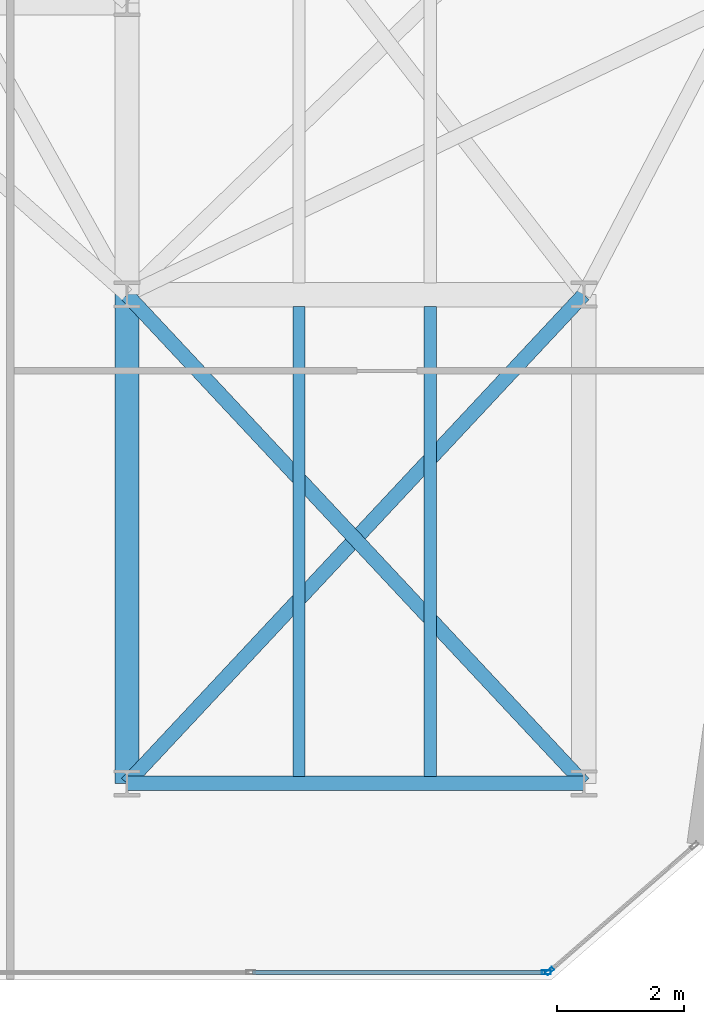
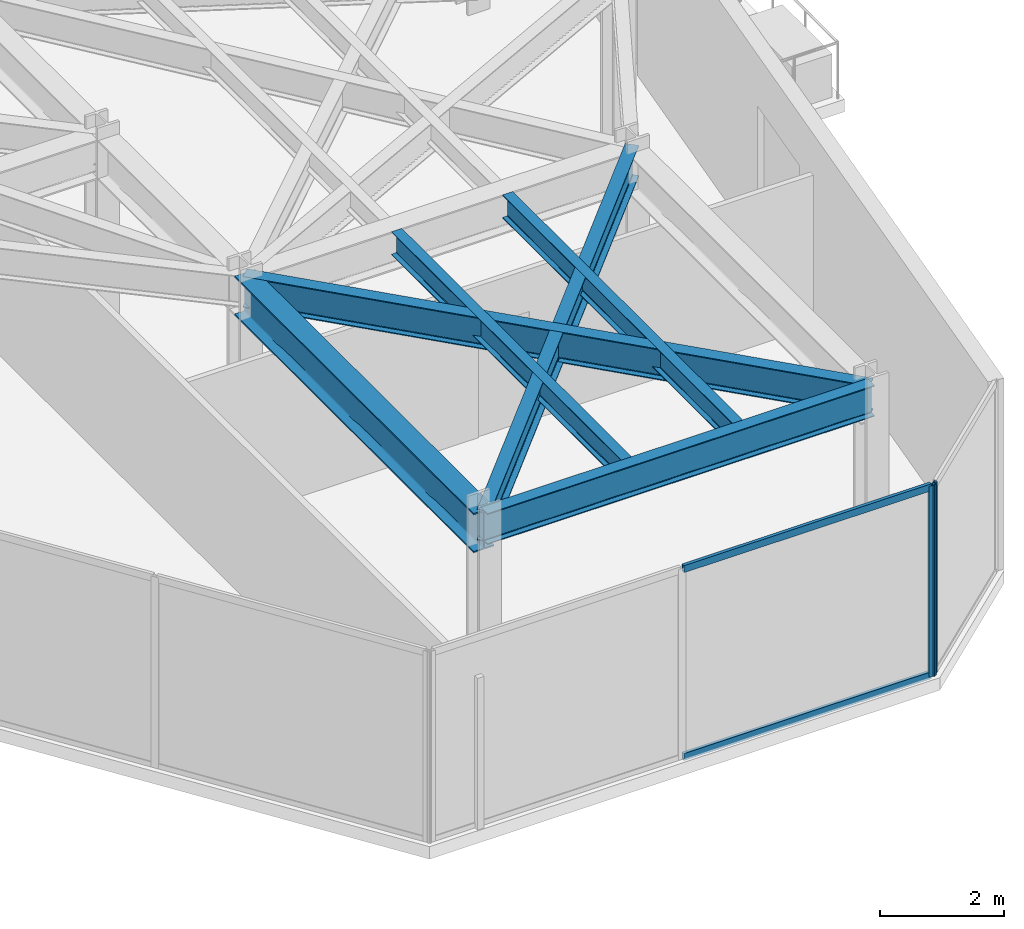
# One storey, part 11 of 21: 6 beams, 4 members, 2 elements without a shape of their own.
"""IFC4 building model written with IfcOpenShell, lengths in metres."""

import ifcopenshell
import ifcopenshell.guid

model = None  # the IFC model being written
_history = None  # IfcOwnerHistory: only IFC2X3 demands one
_inside = {}  # id of a spatial element -> (the spatial element, [elements in it])
_under = {}  # id of a project, library or spatial element -> (it, [spatial elements below it])
_declared = {}  # id of a project -> (the project, [libraries it declares])
_typed = {}  # id of a type object -> (the type object, [elements of that type])
_made_of = {}  # id of a material, layer set ... -> (it, [elements and type objects made of it])


def new_model(schema):
    """Start an empty IFC model of exactly this schema.

    Asked for "IFC4X3", IfcOpenShell would pick the latest addendum, in which some entities
    have other attributes; the version numbers below select the first issue.
    IFC2X3 requires an IfcOwnerHistory on every rooted entity: one is made here for all.
    """
    global model, _history
    if schema == "IFC4X3":
        model = ifcopenshell.file(schema_version=(4, 3, 0, 0))
    else:
        model = ifcopenshell.file(schema=schema)
    _inside.clear()
    _under.clear()
    _declared.clear()
    _typed.clear()
    _made_of.clear()
    _history = None
    if model.schema == "IFC2X3":
        org = make("IfcOrganization", Name="unknown")
        user = make(
            "IfcPersonAndOrganization",
            ThePerson=make("IfcPerson", FamilyName="unknown"),
            TheOrganization=org,
        )
        app = make(
            "IfcApplication",
            ApplicationDeveloper=org,
            Version="unknown",
            ApplicationFullName="unknown",
            ApplicationIdentifier="unknown",
        )
        _history = make(
            "IfcOwnerHistory",
            OwningUser=user,
            OwningApplication=app,
            ChangeAction="ADDED",
            CreationDate=0,
        )
    return model


def make(cls, **values):
    """One entity of the class cls with the attributes given. An attribute that is None is left unset."""
    return model.create_entity(
        cls, **{name: value for name, value in values.items() if value is not None}
    )


def rooted(cls, **values):
    """An entity with a GlobalId (a new one), such as an element, a storey or a relation."""
    return make(cls, GlobalId=ifcopenshell.guid.new(), OwnerHistory=_history, **values)


def si_unit(unit_type, name, prefix=None):
    """IfcSIUnit, for example si_unit("LENGTHUNIT", "METRE", prefix="MILLI")."""
    return make("IfcSIUnit", UnitType=unit_type, Prefix=prefix, Name=name)


def assignment(units):
    """IfcUnitAssignment: the units of a project."""
    return None if units is None else make("IfcUnitAssignment", Units=units)


def point(xyz):
    """IfcCartesianPoint."""
    return None if xyz is None else make("IfcCartesianPoint", Coordinates=xyz)


def direction(xyz):
    """IfcDirection."""
    return None if xyz is None else make("IfcDirection", DirectionRatios=xyz)


def frame(location, z_axis=None, x_axis=None):
    """IfcAxis2Placement3D, a coordinate frame: its origin and axes. An axis left out is left unset."""
    return make(
        "IfcAxis2Placement3D",
        Location=point(location),
        Axis=direction(z_axis),
        RefDirection=direction(x_axis),
    )


def frame_2d(location, x_axis=None):
    """IfcAxis2Placement2D, a coordinate frame in the plane: its origin and x axis."""
    return make(
        "IfcAxis2Placement2D", Location=point(location), RefDirection=direction(x_axis)
    )


def origin():
    """The frame at (0, 0, 0) with its axes left unset."""
    return frame((0.0, 0.0, 0.0))


def origin_2d():
    """The frame at (0, 0) in the plane with its x axis left unset."""
    return frame_2d((0.0, 0.0))


def place(relative_to, where):
    """IfcLocalPlacement: puts the frame where relative to a parent placement (None: the world)."""
    return make(
        "IfcLocalPlacement", PlacementRelTo=relative_to, RelativePlacement=where
    )


def context(
    kind, dimensions, precision=None, world=None, true_north=None, identifier=None
):
    """IfcGeometricRepresentationContext, for example the 3D "Model" context."""
    return make(
        "IfcGeometricRepresentationContext",
        ContextIdentifier=identifier,
        ContextType=kind,
        CoordinateSpaceDimension=dimensions,
        Precision=precision,
        WorldCoordinateSystem=world,
        TrueNorth=true_north,
    )


def subcontext(parent, identifier, kind, view, scale=None):
    """IfcGeometricRepresentationSubContext, for example "Body" below "Model"."""
    return make(
        "IfcGeometricRepresentationSubContext",
        ContextIdentifier=identifier,
        ContextType=kind,
        ParentContext=parent,
        TargetScale=scale,
        TargetView=view,
    )


def project(units=None, contexts=None):
    """IfcProject with its units and contexts."""
    return rooted(
        "IfcProject",
        Name="project",
        RepresentationContexts=contexts,
        UnitsInContext=assignment(units),
    )


def spatial(cls, under=None, at=None, **own):
    """A site, building, storey or space (cls), placed at a placement, below another one or the project."""
    s = rooted(cls, ObjectPlacement=at, **own)
    if under is not None:
        _under.setdefault(under.id(), (under, []))[1].append(s)
    return s


def profile(cls, at=None, kind="AREA", **sizes):
    """A parametric profile (cls). Its sizes go by their IFC names, for example OverallWidth=200.0."""
    return make(cls, ProfileType=kind, Position=at, **sizes)


def hollow_rectangle(**sizes):
    """IfcRectangleHollowProfileDef."""
    return profile("IfcRectangleHollowProfileDef", **sizes)


def i_section(**sizes):
    """IfcIShapeProfileDef."""
    return profile("IfcIShapeProfileDef", **sizes)


def extrude(swept, where, along, depth):
    """IfcExtrudedAreaSolid: the profile swept, set in the frame where, extruded along a direction by depth."""
    return make(
        "IfcExtrudedAreaSolid",
        SweptArea=swept,
        Position=where,
        ExtrudedDirection=direction(along),
        Depth=depth,
    )


def shape(context_of_items, identifier, shape_type, items):
    """IfcShapeRepresentation: the items that make up one representation, for example the "Body"."""
    return make(
        "IfcShapeRepresentation",
        ContextOfItems=context_of_items,
        RepresentationIdentifier=identifier,
        RepresentationType=shape_type,
        Items=items,
    )


def material(Name=None, Category=None):
    """IfcMaterial."""
    return make("IfcMaterial", Name=Name, Category=Category)


def layer(
    of_material, thickness, ventilated=None, Name=None, Category=None, Priority=None
):
    """IfcMaterialLayer: one layer of a wall or slab, of a material (None: an air gap)."""
    return make(
        "IfcMaterialLayer",
        Material=of_material,
        LayerThickness=thickness,
        IsVentilated=ventilated,
        Name=Name,
        Category=Category,
        Priority=Priority,
    )


def layer_set(layers, Name=None):
    """IfcMaterialLayerSet."""
    return make("IfcMaterialLayerSet", MaterialLayers=layers, LayerSetName=Name)


def material_profile(
    of_material, cross_section, Name=None, Category=None, Priority=None
):
    """IfcMaterialProfile: a cross section and its material."""
    return make(
        "IfcMaterialProfile",
        Name=Name,
        Material=of_material,
        Profile=cross_section,
        Priority=Priority,
        Category=Category,
    )


def profile_set(profiles, Name=None, composite=None):
    """IfcMaterialProfileSet."""
    return make(
        "IfcMaterialProfileSet",
        Name=Name,
        MaterialProfiles=profiles,
        CompositeProfile=composite,
    )


def made_of(thing, what):
    """Note that an element or type object is made of a material, layer set ...; save() writes the relation."""
    if what is not None:
        _made_of.setdefault(what.id(), (what, []))[1].append(thing)
    return thing


def type_object(cls, material=None, **own):
    """A type object (cls), such as IfcWallType, which elements share."""
    return made_of(rooted(cls, **own), material)


def element(
    cls,
    number,
    at=None,
    inside=None,
    cuts=None,
    type_object=None,
    material=None,
    context=None,
    identifier="Body",
    shape_type=None,
    held_by="IfcProductDefinitionShape",
    body=None,
    shapes=None,
    **own,
):
    """One element of the class cls, such as IfcWall. Its Tag is "e" and its number.

    at: its placement. inside: the storey or other place that contains it. cuts: it is an
    opening in that element (IfcRelVoidsElement). A single representation is given by context,
    identifier, shape_type and body (its items); several are given by shapes. held_by: the class
    of the entity that holds the representations. save() writes the other relations.
    """
    e = rooted(cls, Tag="e%d" % number, ObjectPlacement=at, **own)
    if body is not None:
        shapes = [shape(context, identifier, shape_type, body)]
    if shapes is not None:
        e.Representation = make(held_by, Representations=shapes)
    if inside is not None:
        _inside.setdefault(inside.id(), (inside, []))[1].append(e)
    if cuts is not None:
        rooted(
            "IfcRelVoidsElement", RelatingBuildingElement=cuts, RelatedOpeningElement=e
        )
    if type_object is not None:
        _typed.setdefault(type_object.id(), (type_object, []))[1].append(e)
    return made_of(e, material)


def aggregate(whole, parts):
    """IfcRelAggregates: a whole, such as a stair, and the parts it consists of."""
    return rooted("IfcRelAggregates", RelatingObject=whole, RelatedObjects=parts)


def save(model, path):
    """Write the relations noted so far, then the file.

    IfcRelAggregates (storeys below a building ...), IfcRelContainedInSpatialStructure (elements
    in a storey), IfcRelDefinesByType, IfcRelAssociatesMaterial and IfcRelDeclares: one each for
    every whole, place, type object, material and project.
    """
    for whole, parts in _under.values():
        aggregate(whole, parts)
    for where, things in _inside.values():
        rooted(
            "IfcRelContainedInSpatialStructure",
            RelatedElements=things,
            RelatingStructure=where,
        )
    for kind, things in _typed.values():
        rooted("IfcRelDefinesByType", RelatedObjects=things, RelatingType=kind)
    for what, things in _made_of.values():
        rooted("IfcRelAssociatesMaterial", RelatedObjects=things, RelatingMaterial=what)
    for by, libraries in _declared.values():
        rooted("IfcRelDeclares", RelatingContext=by, RelatedDefinitions=libraries)
    model.write(path)


model = new_model("IFC4")

# Units and contexts
model_context = context("Model", 3, precision=1e-05, world=origin(), true_north=direction((0.0, 1.0)))
body_context = subcontext(model_context, "Body", "Model", "MODEL_VIEW")
ifc_project = project(units=[si_unit("LENGTHUNIT", "METRE"), si_unit("AREAUNIT", "SQUARE_METRE"), si_unit("VOLUMEUNIT", "CUBIC_METRE"), si_unit("PLANEANGLEUNIT", "RADIAN"), si_unit("MASSUNIT", "GRAM", prefix="KILO")], contexts=[model_context])

# Site, building, storey
site_placement = place(None, origin())
site = spatial("IfcSite", under=ifc_project, at=site_placement, CompositionType="ELEMENT")
building_placement = place(site_placement, origin())
building = spatial("IfcBuilding", under=site, at=building_placement, Name="Kravanh Interchange Tower", CompositionType="ELEMENT")
storey_placement = place(building_placement, frame((0.0, 0.0, 168.5)))
storey = spatial("IfcBuildingStorey", under=building, at=storey_placement, Name="L40", CompositionType="ELEMENT", Elevation=168.5)

# Curtain wall, member
ifc_material_1 = material(Name="Anodised Bronze Aluminium", Category="aluminium")
ifc_layer = layer(ifc_material_1, 0.179931640625)
ifc_layer_set = layer_set([ifc_layer], Name="Unitised Curtain Wall System CW-Z3 Upper Office")
curtain_wall_type = type_object("IfcCurtainWallType", Name="Unitised Curtain Wall System CW-Z3 Upper Office", PredefinedType="NOTDEFINED", material=ifc_layer_set)
curtain_wall_1_placement = place(storey_placement, origin())
curtain_wall_1 = element("IfcCurtainWall", 1, at=curtain_wall_1_placement, inside=storey, type_object=curtain_wall_type, Name="L40 Unitised Curtain Wall CW-L40-01", PredefinedType="NOTDEFINED")
ifc_material_2 = material(Name="Anodised Bronze Aluminium", Category="aluminium")
ifc_material_profile_1 = material_profile(ifc_material_2, hollow_rectangle(XDim=0.06005859375, YDim=0.139892578125, WallThickness=0.00390625, at=origin_2d()), Name="ALU60X140X4")
ifc_profile_set_1 = profile_set([ifc_material_profile_1], Name="Anodised Bronze Aluminium")
member_type_1 = type_object("IfcMemberType", Name="Curtain Wall Mullion ALU60X140X4 Bronze", PredefinedType="MULLION", material=ifc_profile_set_1)
member_1_placement = place(storey_placement, frame((62.66357421875, 11.539794921875, 0.0), z_axis=(0.0, 0.0, 1.0), x_axis=(0.65605090137, -0.754716645379, 0.0)))
member_1 = element("IfcMember", 2, at=member_1_placement, type_object=member_type_1, Name="CW-Z3 mullion 2", PredefinedType="MULLION", context=body_context, shape_type="SweptSolid", body=[
    extrude(hollow_rectangle(XDim=0.06005859375, YDim=0.139892578125, WallThickness=0.00390625, at=origin_2d()), origin(), (0.0, 0.0, 1.0), 3.7548828125),
])
aggregate(curtain_wall_1, [member_1])

# Curtain wall, members
curtain_wall_2_placement = place(storey_placement, origin())
curtain_wall_2 = element("IfcCurtainWall", 3, at=curtain_wall_2_placement, inside=storey, type_object=curtain_wall_type, Name="L40 Unitised Curtain Wall CW-L40-02", PredefinedType="NOTDEFINED")
member_2_placement = place(storey_placement, frame((62.611083984375, 11.52001953125, 0.0), z_axis=(0.0, 0.0, 1.0), x_axis=(0.0, -1.0, 0.0)))
member_2 = element("IfcMember", 4, at=member_2_placement, type_object=member_type_1, Name="CW-Z3 mullion 1", PredefinedType="MULLION", context=body_context, shape_type="SweptSolid", body=[
    extrude(hollow_rectangle(XDim=0.06005859375, YDim=0.139892578125, WallThickness=0.00390625, at=origin_2d()), origin(), (0.0, 0.0, 1.0), 3.7548828125),
])
ifc_material_3 = material(Name="Anodised Bronze Aluminium", Category="aluminium")
ifc_material_profile_2 = material_profile(ifc_material_3, hollow_rectangle(XDim=0.06005859375, YDim=0.139892578125, WallThickness=0.00390625, at=origin_2d()), Name="ALU60X140X4")
ifc_profile_set_2 = profile_set([ifc_material_profile_2], Name="Anodised Bronze Aluminium")
member_type_2 = type_object("IfcMemberType", Name="Curtain Wall Transom ALU60X140X4 Bronze", PredefinedType="USERDEFINED", material=ifc_profile_set_2)
member_3_placement = place(storey_placement, frame((62.5810546875, 11.52001953125, 0.030029296875), z_axis=(-1.0, 0.0, 0.0), x_axis=(0.0, -1.0, 0.0)))
member_3 = element("IfcMember", 5, at=member_3_placement, type_object=member_type_2, Name="CW-Z3 transom 1.1", ObjectType="TRANSOM", PredefinedType="USERDEFINED", context=body_context, shape_type="SweptSolid", body=[
    extrude(hollow_rectangle(XDim=0.06005859375, YDim=0.139892578125, WallThickness=0.00390625, at=origin_2d()), origin(), (0.0, 0.0, 1.0), 4.59912109375),
])
member_4_placement = place(storey_placement, frame((62.5810546875, 11.52001953125, 3.72509765625), z_axis=(-1.0, 0.0, 0.0), x_axis=(0.0, -1.0, 0.0)))
member_4 = element("IfcMember", 6, at=member_4_placement, type_object=member_type_2, Name="CW-Z3 transom 1.2", ObjectType="TRANSOM", PredefinedType="USERDEFINED", context=body_context, shape_type="SweptSolid", body=[
    extrude(hollow_rectangle(XDim=0.06005859375, YDim=0.139892578125, WallThickness=0.00390625, at=origin_2d()), origin(), (0.0, 0.0, 1.0), 4.59912109375),
])
aggregate(curtain_wall_2, [member_2, member_3, member_4])

# Beams
ifc_material_4 = material(Name="Structural Steel S355", Category="steel")
ifc_material_profile_3 = material_profile(ifc_material_4, i_section(OverallWidth=0.381103515625, OverallDepth=0.77294921875, WebThickness=0.0166015625, FlangeThickness=0.027099609375, FilletRadius=0.02490234375, at=origin_2d()), Name="W30X173")
ifc_profile_set_3 = profile_set([ifc_material_profile_3], Name="Structural Steel S355")
beam_type_1 = type_object("IfcBeamType", Name="Floor Beam W30X173 Structural Steel S355", PredefinedType="BEAM", material=ifc_profile_set_3)
beam_1_placement = place(storey_placement, frame((56.0, 14.5, 3.368408203125), z_axis=(0.0, 1.0, 0.0), x_axis=(-1.0, 0.0, 0.0)))
element("IfcBeam", 7, at=beam_1_placement, inside=storey, type_object=beam_type_1, Name="L40 Primary Floor Girder 87", PredefinedType="BEAM", context=body_context, shape_type="SweptSolid", body=[
    extrude(i_section(OverallWidth=0.381103515625, OverallDepth=0.77294921875, WebThickness=0.0166015625, FlangeThickness=0.027099609375, FilletRadius=0.02490234375, at=origin_2d()), origin(), (0.0, 0.0, 1.0), 7.699951171875),
])
ifc_material_5 = material(Name="Structural Steel S355", Category="steel")
ifc_material_profile_4 = material_profile(ifc_material_5, i_section(OverallWidth=0.18994140625, OverallDepth=0.45703125, WebThickness=0.009033203125, FlangeThickness=0.014404296875, FilletRadius=0.01806640625, at=origin_2d()), Name="W18X50")
ifc_profile_set_4 = profile_set([ifc_material_profile_4], Name="Structural Steel S355")
beam_type_2 = type_object("IfcBeamType", Name="Floor Joist W18X50 Structural Steel S355", PredefinedType="JOIST", material=ifc_profile_set_4)
for number, where, z_axis, x_axis, name in (
    (8, (58.715087890625, 14.60888671875, 3.526611328125), (0.0, 1.0, 0.0), (-1.0, 0.0, 0.0), "L40 Secondary Floor Joist 3"),
    (9, (60.780029296875, 14.60888671875, 3.526611328125), (0.0, 1.0, 0.0), (-1.0, 0.0, 0.0), "L40 Secondary Floor Joist 4"),
):
    element("IfcBeam", number, at=place(storey_placement, frame(where, z_axis=z_axis, x_axis=x_axis)), inside=storey, type_object=beam_type_2, Name=name, PredefinedType="JOIST", context=body_context, shape_type="SweptSolid", body=[
        extrude(i_section(OverallWidth=0.18994140625, OverallDepth=0.45703125, WebThickness=0.009033203125, FlangeThickness=0.014404296875, FilletRadius=0.01806640625, at=origin_2d()), origin(), (0.0, 0.0, 1.0), 7.405517578125),
    ])
ifc_material_6 = material(Name="Structural Steel S355", Category="steel")
ifc_material_profile_5 = material_profile(ifc_material_6, i_section(OverallWidth=0.22802734375, OverallDepth=0.60791015625, WebThickness=0.01123046875, FlangeThickness=0.017333984375, FilletRadius=0.02197265625, at=origin_2d()), Name="W24X76")
ifc_profile_set_5 = profile_set([ifc_material_profile_5], Name="Structural Steel S355")
beam_type_3 = type_object("IfcBeamType", Name="Floor Spandrel W24X76 Structural Steel S355", PredefinedType="SPANDREL", material=ifc_profile_set_5)
beam_2_placement = place(storey_placement, frame((56.0, 14.5, 3.450927734375), z_axis=(1.0, 0.0, 0.0), x_axis=(0.0, 1.0, 0.0)))
element("IfcBeam", 10, at=beam_2_placement, inside=storey, type_object=beam_type_3, Name="L40 Perimeter Spandrel 86", PredefinedType="SPANDREL", context=body_context, shape_type="SweptSolid", body=[
    extrude(i_section(OverallWidth=0.22802734375, OverallDepth=0.60791015625, WebThickness=0.01123046875, FlangeThickness=0.017333984375, FilletRadius=0.02197265625, at=origin_2d()), origin(), (0.0, 0.0, 1.0), 7.199951171875),
])
for number, where, z_axis, x_axis, name in (
    (11, (56.0, 14.5, 3.450927734375), (0.682993762113, 0.73042420614, 0.0), (-0.73042420614, 0.682993762113, 0.0), "L40 Perimeter Spandrel 88"),
    (12, (63.199951171875, 14.5, 3.450927734375), (-0.682993762113, 0.73042420614, 0.0), (-0.73042420614, -0.682993762113, 0.0), "L40 Perimeter Spandrel 90"),
):
    element("IfcBeam", number, at=place(storey_placement, frame(where, z_axis=z_axis, x_axis=x_axis)), inside=storey, type_object=beam_type_3, Name=name, PredefinedType="SPANDREL", context=body_context, shape_type="SweptSolid", body=[
        extrude(i_section(OverallWidth=0.22802734375, OverallDepth=0.60791015625, WebThickness=0.01123046875, FlangeThickness=0.017333984375, FilletRadius=0.02197265625, at=origin_2d()), origin(), (0.0, 0.0, 1.0), 10.541748046875),
    ])

save(model, "model.ifc")
